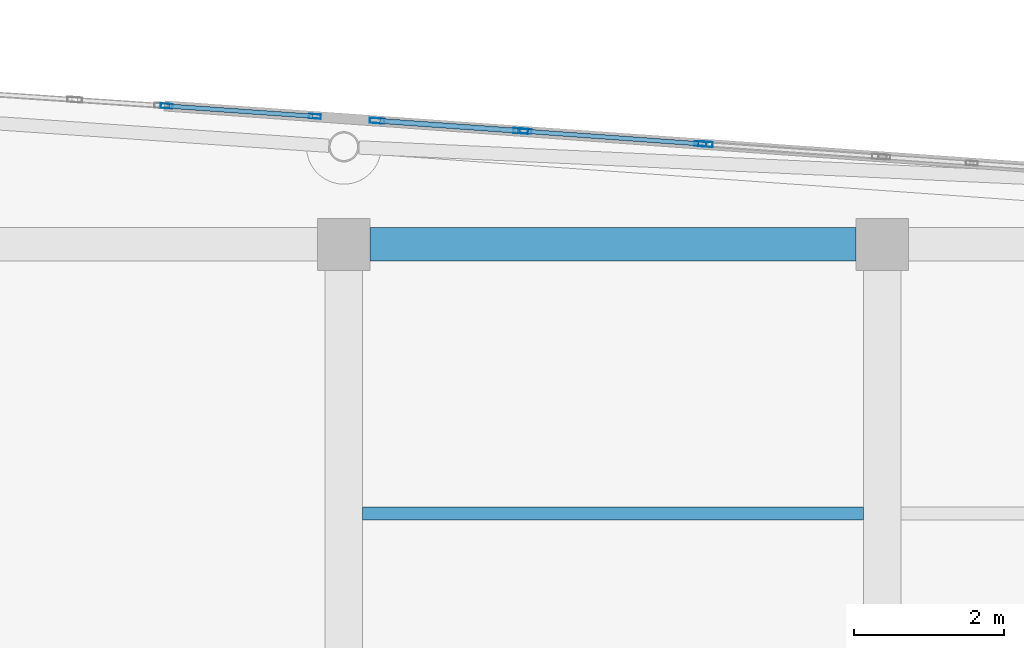
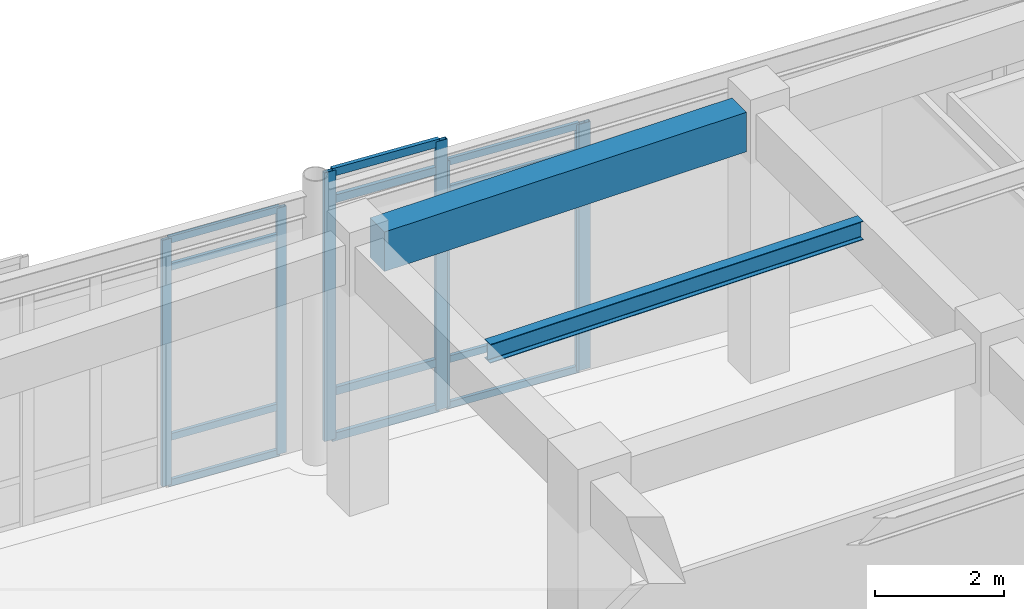
# One storey, part 52 of 102: 19 members, 2 beams, 4 elements without a shape of their own.
"""IFC4 building model written with IfcOpenShell, lengths in metres."""

from ifc_helpers import new_model, si_unit, direction, frame, origin, origin_2d, place, context, subcontext, project, spatial, rectangle, hollow_rectangle, i_section, extrude, material, layer, layer_set, material_profile, profile_set, type_object, element, aggregate, save


model = new_model("IFC4")

# Units and contexts
model_context = context("Model", 3, precision=1e-05, world=origin(), true_north=direction((0.0, 1.0)))
body_context = subcontext(model_context, "Body", "Model", "MODEL_VIEW")
ifc_project = project(units=[si_unit("LENGTHUNIT", "METRE"), si_unit("AREAUNIT", "SQUARE_METRE"), si_unit("VOLUMEUNIT", "CUBIC_METRE"), si_unit("PLANEANGLEUNIT", "RADIAN"), si_unit("MASSUNIT", "GRAM", prefix="KILO")], contexts=[model_context])

# Site, building, storey
site_placement = place(None, origin())
site = spatial("IfcSite", under=ifc_project, at=site_placement, CompositionType="ELEMENT")
building_placement = place(site_placement, origin())
building = spatial("IfcBuilding", under=site, at=building_placement, Name="Carrowvane Square Congress Hotel", CompositionType="ELEMENT")
storey_placement = place(building_placement, origin())
storey = spatial("IfcBuildingStorey", under=building, at=storey_placement, Name="L00", CompositionType="ELEMENT", Elevation=0.0)

# Beams
ifc_material_1 = material(Name="Concrete C35/45", Category="concrete")
ifc_material_profile_1 = material_profile(ifc_material_1, rectangle(XDim=0.449951171875, YDim=0.75, at=origin_2d()), Name="RC 450x750")
ifc_profile_set_1 = profile_set([ifc_material_profile_1], Name="Concrete C35/45")
beam_type_1 = type_object("IfcBeamType", Name="BM-RC-450x750", PredefinedType="USERDEFINED", material=ifc_profile_set_1)
beam_1_placement = place(storey_placement, frame((134.35009765625, 113.39990234375, 4.72509765625), z_axis=(1.0, 0.0, 0.0), x_axis=(0.0, 1.0, 0.0)))
element("IfcBeam", 1, at=beam_1_placement, inside=storey, type_object=beam_type_1, Name="L01 girder R/18-19", ObjectType="GIRDER", PredefinedType="USERDEFINED", context=body_context, shape_type="SweptSolid", body=[
    extrude(rectangle(XDim=0.449951171875, YDim=0.75, at=origin_2d()), origin(), (0.0, 0.0, 1.0), 6.5),
])
ifc_material_2 = material(Name="Steel S355", Category="steel")
ifc_material_profile_2 = material_profile(ifc_material_2, i_section(OverallWidth=0.172119140625, OverallDepth=0.35791015625, WebThickness=0.008056640625, FlangeThickness=0.012939453125, FilletRadius=0.01025390625, at=origin_2d()), Name="UKB 356x171x57")
ifc_profile_set_2 = profile_set([ifc_material_profile_2], Name="Steel S355")
beam_type_2 = type_object("IfcBeamType", Name="BM-ST-UKB356", PredefinedType="JOIST", material=ifc_profile_set_2)
beam_2_placement = place(storey_placement, frame((134.25, 109.800048828125, 4.9208984375), z_axis=(1.0, 0.0, 0.0), x_axis=(0.0, 1.0, 0.0)))
element("IfcBeam", 2, at=beam_2_placement, inside=storey, type_object=beam_type_2, Name="L01 secondary joist 18-19", PredefinedType="JOIST", context=body_context, shape_type="SweptSolid", body=[
    extrude(i_section(OverallWidth=0.172119140625, OverallDepth=0.35791015625, WebThickness=0.008056640625, FlangeThickness=0.012939453125, FilletRadius=0.01025390625, at=origin_2d()), origin(), (0.0, 0.0, 1.0), 6.699951171875),
])

# Curtain wall, members
ifc_material_3 = material(Name="Anodised aluminium", Category="aluminium")
ifc_layer_1 = layer(ifc_material_3, 0.162109375)
ifc_layer_set_1 = layer_set([ifc_layer_1], Name="Anodised aluminium")
curtain_wall_type_1 = type_object("IfcCurtainWallType", Name="CW-SYS-1", PredefinedType="NOTDEFINED", material=ifc_layer_set_1)
curtain_wall_1_placement = place(storey_placement, origin())
curtain_wall_1 = element("IfcCurtainWall", 3, at=curtain_wall_1_placement, inside=storey, type_object=curtain_wall_type_1, Name="L00 unitised curtain wall 40", PredefinedType="NOTDEFINED")
ifc_material_4 = material(Name="Anodised aluminium", Category="aluminium")
ifc_material_profile_3 = material_profile(ifc_material_4, hollow_rectangle(XDim=0.06005859375, YDim=0.159912109375, WallThickness=0.00390625, at=origin_2d()), Name="CW-ML 60x160x4")
ifc_profile_set_3 = profile_set([ifc_material_profile_3], Name="Anodised aluminium")
member_type_1 = type_object("IfcMemberType", Name="CW-MUL-1", PredefinedType="MULLION", material=ifc_profile_set_3)
member_1_placement = place(storey_placement, frame((131.6298828125, 115.251708984375, 0.0), z_axis=(0.0, 0.0, 1.0), x_axis=(0.069726879118, 0.997566119277, 0.0)))
member_1 = element("IfcMember", 4, at=member_1_placement, type_object=member_type_1, Name="CW-1 mullion 1", PredefinedType="MULLION", context=body_context, shape_type="SweptSolid", body=[
    extrude(hollow_rectangle(XDim=0.06005859375, YDim=0.159912109375, WallThickness=0.00390625, at=origin_2d()), origin(), (0.0, 0.0, 1.0), 4.675537109375),
])
member_2_placement = place(storey_placement, frame((133.61279296875, 115.113037109375, 0.0), z_axis=(0.0, 0.0, 1.0), x_axis=(0.069726879118, 0.997566119277, 0.0)))
member_2 = element("IfcMember", 5, at=member_2_placement, type_object=member_type_1, Name="CW-1 mullion 2", PredefinedType="MULLION", context=body_context, shape_type="SweptSolid", body=[
    extrude(hollow_rectangle(XDim=0.06005859375, YDim=0.159912109375, WallThickness=0.00390625, at=origin_2d()), origin(), (0.0, 0.0, 1.0), 4.675537109375),
])

ifc_material_5 = material(Name="Anodised aluminium", Category="aluminium")
ifc_layer_2 = layer(ifc_material_5, 0.18603515625)
ifc_layer_set_2 = layer_set([ifc_layer_2], Name="Anodised aluminium")
curtain_wall_type_2 = type_object("IfcCurtainWallType", Name="CW-SYS-3", PredefinedType="NOTDEFINED", material=ifc_layer_set_2)
curtain_wall_2_placement = place(storey_placement, origin())
curtain_wall_2 = element("IfcCurtainWall", 6, at=curtain_wall_2_placement, inside=storey, type_object=curtain_wall_type_2, Name="L00 unitised curtain wall 42", PredefinedType="NOTDEFINED")
member_3_placement = place(storey_placement, frame((136.429931640625, 114.9130859375, 0.0), z_axis=(0.0, 0.0, 1.0), x_axis=(0.071531759512, 0.997438322595, 0.0)))
member_3 = element("IfcMember", 7, at=member_3_placement, type_object=member_type_1, Name="CW-3 mullion 1", PredefinedType="MULLION", context=body_context, shape_type="SweptSolid", body=[
    extrude(hollow_rectangle(XDim=0.06005859375, YDim=0.159912109375, WallThickness=0.00390625, at=origin_2d()), origin(), (0.0, 0.0, 1.0), 4.675537109375),
])
member_4_placement = place(storey_placement, frame((138.77001953125, 114.745361328125, 0.0), z_axis=(0.0, 0.0, 1.0), x_axis=(0.071531759512, 0.997438322595, 0.0)))
member_4 = element("IfcMember", 8, at=member_4_placement, type_object=member_type_1, Name="CW-3 mullion 2", PredefinedType="MULLION", context=body_context, shape_type="SweptSolid", body=[
    extrude(hollow_rectangle(XDim=0.06005859375, YDim=0.159912109375, WallThickness=0.00390625, at=origin_2d()), origin(), (0.0, 0.0, 1.0), 4.675537109375),
])

ifc_material_6 = material(Name="Anodised aluminium", Category="aluminium")
ifc_layer_3 = layer(ifc_material_6, 0.174072265625)
ifc_layer_set_3 = layer_set([ifc_layer_3], Name="Anodised aluminium")
curtain_wall_type_3 = type_object("IfcCurtainWallType", Name="CW-SYS-2", PredefinedType="NOTDEFINED", material=ifc_layer_set_3)
curtain_wall_3_placement = place(storey_placement, origin())
curtain_wall_3 = element("IfcCurtainWall", 9, at=curtain_wall_3_placement, inside=storey, type_object=curtain_wall_type_3, Name="L00 unitised curtain wall 41", PredefinedType="NOTDEFINED")
ifc_material_7 = material(Name="Anodised aluminium", Category="aluminium")
ifc_material_profile_4 = material_profile(ifc_material_7, hollow_rectangle(XDim=0.070068359375, YDim=0.199951171875, WallThickness=0.0048828125, at=origin_2d()), Name="CW-ML 70x200x5")
ifc_profile_set_4 = profile_set([ifc_material_profile_4], Name="Anodised aluminium")
member_type_2 = type_object("IfcMemberType", Name="CW-MUL-2", PredefinedType="MULLION", material=ifc_profile_set_4)
member_5_placement = place(storey_placement, frame((134.445556640625, 115.05419921875, 0.0), z_axis=(0.0, 0.0, 1.0), x_axis=(0.070959862453, 0.997479171673, 0.0)))
member_5 = element("IfcMember", 10, at=member_5_placement, type_object=member_type_2, Name="CW-2 mullion 1", PredefinedType="MULLION", context=body_context, shape_type="SweptSolid", body=[
    extrude(hollow_rectangle(XDim=0.070068359375, YDim=0.199951171875, WallThickness=0.0048828125, at=origin_2d()), origin(), (0.0, 0.0, 1.0), 5.10009765625),
])
member_6_placement = place(storey_placement, frame((136.365234375, 114.917724609375, 0.0), z_axis=(0.0, 0.0, 1.0), x_axis=(0.070959862453, 0.997479171673, 0.0)))
member_6 = element("IfcMember", 11, at=member_6_placement, type_object=member_type_2, Name="CW-2 mullion 2", PredefinedType="MULLION", context=body_context, shape_type="SweptSolid", body=[
    extrude(hollow_rectangle(XDim=0.070068359375, YDim=0.199951171875, WallThickness=0.0048828125, at=origin_2d()), origin(), (0.0, 0.0, 1.0), 5.10009765625),
])

# Curtain wall, member
ifc_material_8 = material(Name="Anodised aluminium", Category="aluminium")
ifc_layer_4 = layer(ifc_material_8, 0.197998046875)
ifc_layer_set_4 = layer_set([ifc_layer_4], Name="Anodised aluminium")
curtain_wall_type_4 = type_object("IfcCurtainWallType", Name="CW-SYS-4", PredefinedType="NOTDEFINED", material=ifc_layer_set_4)
curtain_wall_4_placement = place(storey_placement, origin())
curtain_wall_4 = element("IfcCurtainWall", 12, at=curtain_wall_4_placement, inside=storey, type_object=curtain_wall_type_4, Name="L00 unitised curtain wall 43", PredefinedType="NOTDEFINED")
member_7_placement = place(storey_placement, frame((138.8349609375, 114.74072265625, 0.0), z_axis=(0.0, 0.0, 1.0), x_axis=(0.071422490945, 0.997446152826, 0.0)))
member_7 = element("IfcMember", 13, at=member_7_placement, type_object=member_type_2, Name="CW-4 mullion 1", PredefinedType="MULLION", context=body_context, shape_type="SweptSolid", body=[
    extrude(hollow_rectangle(XDim=0.070068359375, YDim=0.199951171875, WallThickness=0.0048828125, at=origin_2d()), origin(), (0.0, 0.0, 1.0), 4.675537109375),
])
aggregate(curtain_wall_4, [member_7])

# Member
ifc_material_9 = material(Name="Anodised aluminium", Category="aluminium")
ifc_material_profile_5 = material_profile(ifc_material_9, hollow_rectangle(XDim=0.06005859375, YDim=0.1298828125, WallThickness=0.00390625, at=origin_2d()), Name="CW-TR 60x130x4")
ifc_profile_set_5 = profile_set([ifc_material_profile_5], Name="Anodised aluminium")
member_type_3 = type_object("IfcMemberType", Name="CW-TRN-1", PredefinedType="USERDEFINED", material=ifc_profile_set_5)
member_8_placement = place(storey_placement, frame((131.659912109375, 115.24951171875, 0.030029296875), z_axis=(0.997570599543, -0.069662751365, 0.0), x_axis=(0.069662751365, 0.997570599543, 0.0)))
member_8 = element("IfcMember", 14, at=member_8_placement, type_object=member_type_3, Name="CW-1 transom 1.1", ObjectType="TRANSOM", PredefinedType="USERDEFINED", context=body_context, shape_type="SweptSolid", body=[
    extrude(hollow_rectangle(XDim=0.06005859375, YDim=0.1298828125, WallThickness=0.00390625, at=origin_2d()), origin(), (0.0, 0.0, 1.0), 1.927490234375),
])

member_9_placement = place(storey_placement, frame((131.659912109375, 115.24951171875, 0.89990234375), z_axis=(0.997570599543, -0.069662751365, 0.0), x_axis=(0.069662751365, 0.997570599543, 0.0)))
member_9 = element("IfcMember", 15, at=member_9_placement, type_object=member_type_3, Name="CW-1 transom 1.2", ObjectType="TRANSOM", PredefinedType="USERDEFINED", context=body_context, shape_type="SweptSolid", body=[
    extrude(hollow_rectangle(XDim=0.06005859375, YDim=0.1298828125, WallThickness=0.00390625, at=origin_2d()), origin(), (0.0, 0.0, 1.0), 1.927490234375),
])

member_10_placement = place(storey_placement, frame((131.659912109375, 115.24951171875, 4.12548828125), z_axis=(0.997570599543, -0.069662751365, 0.0), x_axis=(0.069662751365, 0.997570599543, 0.0)))
member_10 = element("IfcMember", 16, at=member_10_placement, type_object=member_type_3, Name="CW-1 transom 1.3", ObjectType="TRANSOM", PredefinedType="USERDEFINED", context=body_context, shape_type="SweptSolid", body=[
    extrude(hollow_rectangle(XDim=0.06005859375, YDim=0.1298828125, WallThickness=0.00390625, at=origin_2d()), origin(), (0.0, 0.0, 1.0), 1.927490234375),
])

member_11_placement = place(storey_placement, frame((131.659912109375, 115.24951171875, 4.6455078125), z_axis=(0.997570599543, -0.069662751365, 0.0), x_axis=(0.069662751365, 0.997570599543, 0.0)))
member_11 = element("IfcMember", 17, at=member_11_placement, type_object=member_type_3, Name="CW-1 transom 1.4", ObjectType="TRANSOM", PredefinedType="USERDEFINED", context=body_context, shape_type="SweptSolid", body=[
    extrude(hollow_rectangle(XDim=0.06005859375, YDim=0.1298828125, WallThickness=0.00390625, at=origin_2d()), origin(), (0.0, 0.0, 1.0), 1.927490234375),
])

aggregate(curtain_wall_1, [member_1, member_2, member_8, member_9, member_10, member_11])

member_12_placement = place(storey_placement, frame((136.4599609375, 114.910888671875, 0.030029296875), z_axis=(0.997436969988, -0.071550617761, 0.0), x_axis=(0.071550617761, 0.997436969988, 0.0)))
member_12 = element("IfcMember", 18, at=member_12_placement, type_object=member_type_3, Name="CW-3 transom 1.1", ObjectType="TRANSOM", PredefinedType="USERDEFINED", context=body_context, shape_type="SweptSolid", body=[
    extrude(hollow_rectangle(XDim=0.06005859375, YDim=0.1298828125, WallThickness=0.00390625, at=origin_2d()), origin(), (0.0, 0.0, 1.0), 2.2861328125),
])

member_13_placement = place(storey_placement, frame((136.4599609375, 114.910888671875, 0.89990234375), z_axis=(0.997436969988, -0.071550617761, 0.0), x_axis=(0.071550617761, 0.997436969988, 0.0)))
member_13 = element("IfcMember", 19, at=member_13_placement, type_object=member_type_3, Name="CW-3 transom 1.2", ObjectType="TRANSOM", PredefinedType="USERDEFINED", context=body_context, shape_type="SweptSolid", body=[
    extrude(hollow_rectangle(XDim=0.06005859375, YDim=0.1298828125, WallThickness=0.00390625, at=origin_2d()), origin(), (0.0, 0.0, 1.0), 2.2861328125),
])

member_14_placement = place(storey_placement, frame((136.4599609375, 114.910888671875, 4.12548828125), z_axis=(0.997436969988, -0.071550617761, 0.0), x_axis=(0.071550617761, 0.997436969988, 0.0)))
member_14 = element("IfcMember", 20, at=member_14_placement, type_object=member_type_3, Name="CW-3 transom 1.3", ObjectType="TRANSOM", PredefinedType="USERDEFINED", context=body_context, shape_type="SweptSolid", body=[
    extrude(hollow_rectangle(XDim=0.06005859375, YDim=0.1298828125, WallThickness=0.00390625, at=origin_2d()), origin(), (0.0, 0.0, 1.0), 2.2861328125),
])

member_15_placement = place(storey_placement, frame((136.4599609375, 114.910888671875, 4.6455078125), z_axis=(0.997436969988, -0.071550617761, 0.0), x_axis=(0.071550617761, 0.997436969988, 0.0)))
member_15 = element("IfcMember", 21, at=member_15_placement, type_object=member_type_3, Name="CW-3 transom 1.4", ObjectType="TRANSOM", PredefinedType="USERDEFINED", context=body_context, shape_type="SweptSolid", body=[
    extrude(hollow_rectangle(XDim=0.06005859375, YDim=0.1298828125, WallThickness=0.00390625, at=origin_2d()), origin(), (0.0, 0.0, 1.0), 2.2861328125),
])

aggregate(curtain_wall_2, [member_3, member_4, member_12, member_13, member_14, member_15])

ifc_material_10 = material(Name="Anodised aluminium", Category="aluminium")
ifc_material_profile_6 = material_profile(ifc_material_10, hollow_rectangle(XDim=0.070068359375, YDim=0.14990234375, WallThickness=0.0048828125, at=origin_2d()), Name="CW-TR 70x150x5")
ifc_profile_set_6 = profile_set([ifc_material_profile_6], Name="Anodised aluminium")
member_type_4 = type_object("IfcMemberType", Name="CW-TRN-2", PredefinedType="USERDEFINED", material=ifc_profile_set_6)
member_16_placement = place(storey_placement, frame((134.48046875, 115.0517578125, 0.034912109375), z_axis=(0.997479373486, -0.070957025513, 0.0), x_axis=(0.070957025513, 0.997479373486, 0.0)))
member_16 = element("IfcMember", 22, at=member_16_placement, type_object=member_type_4, Name="CW-2 transom 1.1", ObjectType="TRANSOM", PredefinedType="USERDEFINED", context=body_context, shape_type="SweptSolid", body=[
    extrude(hollow_rectangle(XDim=0.070068359375, YDim=0.14990234375, WallThickness=0.0048828125, at=origin_2d()), origin(), (0.0, 0.0, 1.0), 1.8544921875),
])

member_17_placement = place(storey_placement, frame((134.48046875, 115.0517578125, 0.89990234375), z_axis=(0.997479373486, -0.070957025513, 0.0), x_axis=(0.070957025513, 0.997479373486, 0.0)))
member_17 = element("IfcMember", 23, at=member_17_placement, type_object=member_type_4, Name="CW-2 transom 1.2", ObjectType="TRANSOM", PredefinedType="USERDEFINED", context=body_context, shape_type="SweptSolid", body=[
    extrude(hollow_rectangle(XDim=0.070068359375, YDim=0.14990234375, WallThickness=0.0048828125, at=origin_2d()), origin(), (0.0, 0.0, 1.0), 1.8544921875),
])

member_18_placement = place(storey_placement, frame((134.48046875, 115.0517578125, 4.550048828125), z_axis=(0.997479373486, -0.070957025513, 0.0), x_axis=(0.070957025513, 0.997479373486, 0.0)))
member_18 = element("IfcMember", 24, at=member_18_placement, type_object=member_type_4, Name="CW-2 transom 1.3", ObjectType="TRANSOM", PredefinedType="USERDEFINED", context=body_context, shape_type="SweptSolid", body=[
    extrude(hollow_rectangle(XDim=0.070068359375, YDim=0.14990234375, WallThickness=0.0048828125, at=origin_2d()), origin(), (0.0, 0.0, 1.0), 1.8544921875),
])

member_19_placement = place(storey_placement, frame((134.48046875, 115.0517578125, 5.06494140625), z_axis=(0.997479373486, -0.070957025513, 0.0), x_axis=(0.070957025513, 0.997479373486, 0.0)))
member_19 = element("IfcMember", 25, at=member_19_placement, type_object=member_type_4, Name="CW-2 transom 1.4", ObjectType="TRANSOM", PredefinedType="USERDEFINED", context=body_context, shape_type="SweptSolid", body=[
    extrude(hollow_rectangle(XDim=0.070068359375, YDim=0.14990234375, WallThickness=0.0048828125, at=origin_2d()), origin(), (0.0, 0.0, 1.0), 1.8544921875),
])

aggregate(curtain_wall_3, [member_5, member_6, member_16, member_17, member_18, member_19])

save(model, "model.ifc")
